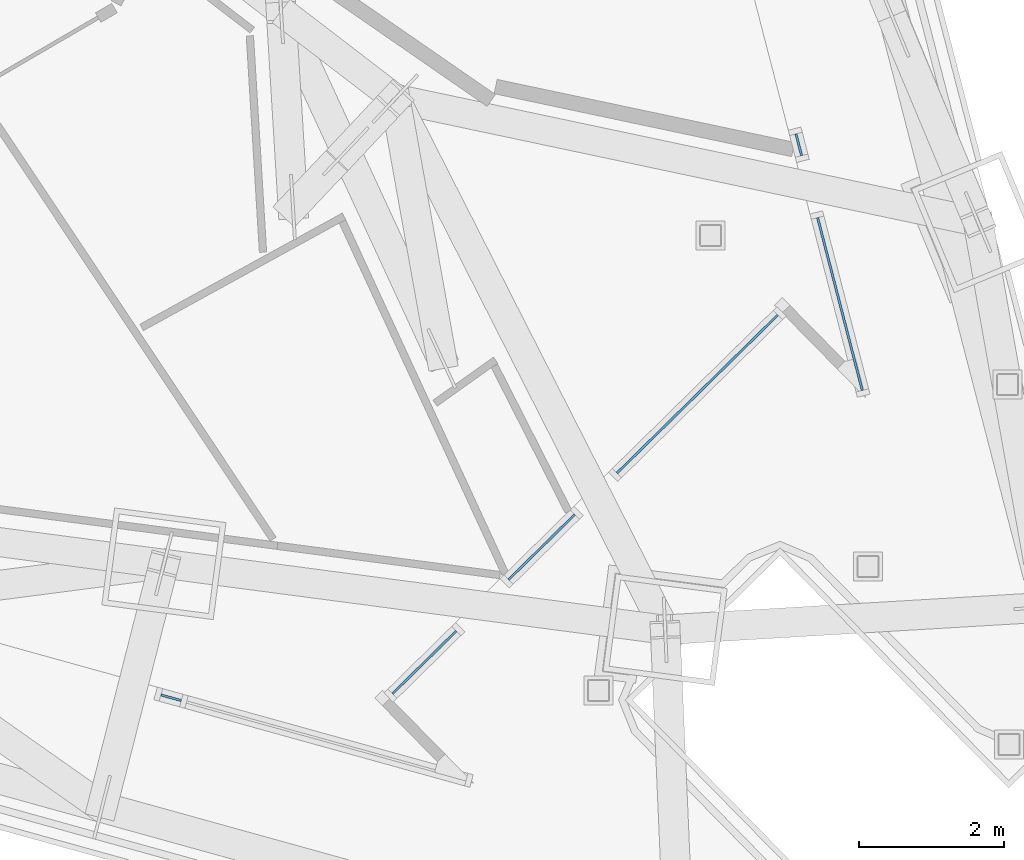
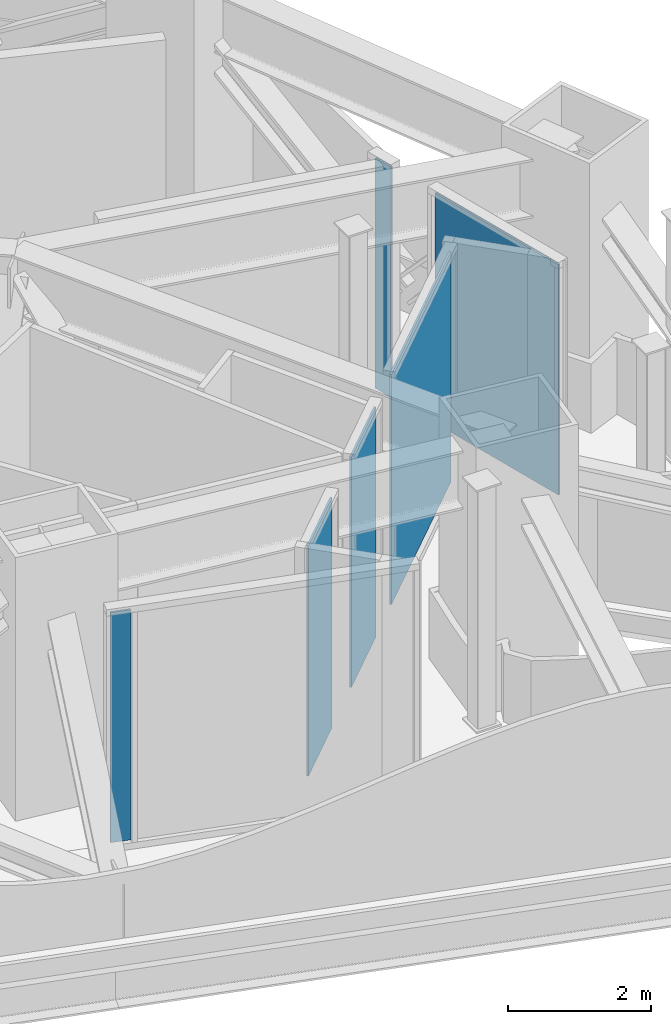
# One storey, part 8 of 22: 6 plates, 6 elements without a shape of their own.
"""IFC4 building model written with IfcOpenShell, lengths in metres."""

from ifc_helpers import new_model, si_unit, direction, frame, origin, origin_2d, place, context, subcontext, project, spatial, rectangle, extrude, material, layer, layer_set, type_object, element, aggregate, save


model = new_model("IFC4")

# Units and contexts
model_context = context("Model", 3, precision=1e-05, world=origin(), true_north=direction((0.0, 1.0)))
body_context = subcontext(model_context, "Body", "Model", "MODEL_VIEW")
ifc_project = project(units=[si_unit("LENGTHUNIT", "METRE"), si_unit("AREAUNIT", "SQUARE_METRE"), si_unit("VOLUMEUNIT", "CUBIC_METRE"), si_unit("PLANEANGLEUNIT", "RADIAN"), si_unit("MASSUNIT", "GRAM", prefix="KILO")], contexts=[model_context])

# Site, building, storey
site_placement = place(None, origin())
site = spatial("IfcSite", under=ifc_project, at=site_placement, CompositionType="ELEMENT")
building_placement = place(site_placement, origin())
building = spatial("IfcBuilding", under=site, at=building_placement, Name="Trine Commons Tower", CompositionType="ELEMENT")
storey_placement = place(building_placement, frame((0.0, 0.0, 267.300048828125)))
storey = spatial("IfcBuildingStorey", under=building, at=storey_placement, Name="L70", CompositionType="ELEMENT", Elevation=267.300048828125)

# Curtain wall, plate
ifc_material_1 = material(Name="Sky lounge glazing: anodised aluminium frame with low-emissivity double glazed unit, solar control", Category="aluminium")
ifc_layer_1 = layer(ifc_material_1, 0.179931640625)
ifc_layer_set_1 = layer_set([ifc_layer_1], Name="Sky lounge glazing: anodised aluminium frame with low-emissivity double glazed unit, solar control")
curtain_wall_type = type_object("IfcCurtainWallType", Name="Sky lounge glazing curtain wall CW5", PredefinedType="NOTDEFINED", material=ifc_layer_set_1)
curtain_wall_1_placement = place(storey_placement, origin())
curtain_wall_1 = element("IfcCurtainWall", 1, at=curtain_wall_1_placement, inside=storey, type_object=curtain_wall_type, Name="Sky lounge glazing L70 F2.2", PredefinedType="NOTDEFINED")
ifc_material_2 = material(Name="Low-emissivity double glazed unit, solar control")
ifc_layer_2 = layer(ifc_material_2, 0.031982421875)
ifc_layer_set_2 = layer_set([ifc_layer_2], Name="Low-emissivity double glazed unit, solar control")
plate_type = type_object("IfcPlateType", Name="Double glazed unit 32 mm (sky floors)", PredefinedType="CURTAIN_PANEL", material=ifc_layer_set_2)
plate_1_placement = place(storey_placement, frame((97.27734375, 52.87744140625, 0.10986328125), z_axis=(0.0, 0.0, 1.0), x_axis=(0.250380004054, -0.968147640378, 0.0)))
plate_1 = element("IfcPlate", 2, at=plate_1_placement, type_object=plate_type, Name="CW5 panel 1.1", PredefinedType="CURTAIN_PANEL", context=body_context, shape_type="SweptSolid", body=[
    extrude(rectangle(XDim=0.309814453125, YDim=0.031982421875, at=origin_2d()), origin(), (0.0, 0.0, 1.0), 3.929931640625),
])
aggregate(curtain_wall_1, [plate_1])

curtain_wall_2_placement = place(storey_placement, origin())
curtain_wall_2 = element("IfcCurtainWall", 3, at=curtain_wall_2_placement, inside=storey, type_object=curtain_wall_type, Name="Sky lounge glazing L70 F2.3", PredefinedType="NOTDEFINED")
plate_2_placement = place(storey_placement, frame((97.845458984375, 50.680908203125, 0.10986328125), z_axis=(0.0, 0.0, 1.0), x_axis=(0.250380004054, -0.968147640378, 0.0)))
plate_2 = element("IfcPlate", 4, at=plate_2_placement, type_object=plate_type, Name="CW5 panel 1.1", PredefinedType="CURTAIN_PANEL", context=body_context, shape_type="SweptSolid", body=[
    extrude(rectangle(XDim=2.461181640625, YDim=0.031982421875, at=origin_2d()), origin(), (0.0, 0.0, 1.0), 3.929931640625),
])
aggregate(curtain_wall_2, [plate_2])

curtain_wall_3_placement = place(storey_placement, origin())
curtain_wall_3 = element("IfcCurtainWall", 5, at=curtain_wall_3_placement, inside=storey, type_object=curtain_wall_type, Name="Sky lounge glazing L70 P2.1", PredefinedType="NOTDEFINED")
plate_3_placement = place(storey_placement, frame((95.87841796875, 49.438720703125, 0.10986328125), z_axis=(0.0, 0.0, 1.0), x_axis=(-0.713250449154, -0.7009092643, 0.0)))
plate_3 = element("IfcPlate", 6, at=plate_3_placement, type_object=plate_type, Name="CW5 panel 1.1", PredefinedType="CURTAIN_PANEL", context=body_context, shape_type="SweptSolid", body=[
    extrude(rectangle(XDim=3.109130859375, YDim=0.031982421875, at=origin_2d()), origin(), (0.0, 0.0, 1.0), 3.929931640625),
])
aggregate(curtain_wall_3, [plate_3])

curtain_wall_4_placement = place(storey_placement, origin())
curtain_wall_4 = element("IfcCurtainWall", 7, at=curtain_wall_4_placement, inside=storey, type_object=curtain_wall_type, Name="Sky lounge glazing L70 P2.2", PredefinedType="NOTDEFINED")
plate_4_placement = place(storey_placement, frame((93.731689453125, 47.328857421875, 0.10986328125), z_axis=(0.0, 0.0, 1.0), x_axis=(-0.713250449154, -0.7009092643, 0.0)))
plate_4 = element("IfcPlate", 8, at=plate_4_placement, type_object=plate_type, Name="CW5 panel 1.1", PredefinedType="CURTAIN_PANEL", context=body_context, shape_type="SweptSolid", body=[
    extrude(rectangle(XDim=1.279296875, YDim=0.031982421875, at=origin_2d()), origin(), (0.0, 0.0, 1.0), 3.929931640625),
])
aggregate(curtain_wall_4, [plate_4])

curtain_wall_5_placement = place(storey_placement, origin())
curtain_wall_5 = element("IfcCurtainWall", 9, at=curtain_wall_5_placement, inside=storey, type_object=curtain_wall_type, Name="Sky lounge glazing L70 P2.3", PredefinedType="NOTDEFINED")
plate_5_placement = place(storey_placement, frame((92.1142578125, 45.739501953125, 0.10986328125), z_axis=(0.0, 0.0, 1.0), x_axis=(-0.713250449154, -0.7009092643, 0.0)))
plate_5 = element("IfcPlate", 10, at=plate_5_placement, type_object=plate_type, Name="CW5 panel 1.1", PredefinedType="CURTAIN_PANEL", context=body_context, shape_type="SweptSolid", body=[
    extrude(rectangle(XDim=1.23583984375, YDim=0.031982421875, at=origin_2d()), origin(), (0.0, 0.0, 1.0), 3.929931640625),
])
aggregate(curtain_wall_5, [plate_5])

curtain_wall_6_placement = place(storey_placement, origin())
curtain_wall_6 = element("IfcCurtainWall", 11, at=curtain_wall_6_placement, inside=storey, type_object=curtain_wall_type, Name="Sky lounge glazing L70 F3.1", PredefinedType="NOTDEFINED")
plate_6_placement = place(storey_placement, frame((88.62060546875, 45.251220703125, 0.10986328125), z_axis=(0.0, 0.0, 1.0), x_axis=(-0.963630453209, 0.267238376078, 0.0)))
plate_6 = element("IfcPlate", 12, at=plate_6_placement, type_object=plate_type, Name="CW5 panel 2.1", PredefinedType="CURTAIN_PANEL", context=body_context, shape_type="SweptSolid", body=[
    extrude(rectangle(XDim=0.2919921875, YDim=0.031982421875, at=origin_2d()), origin(), (0.0, 0.0, 1.0), 3.929931640625),
])
aggregate(curtain_wall_6, [plate_6])

save(model, "model.ifc")
